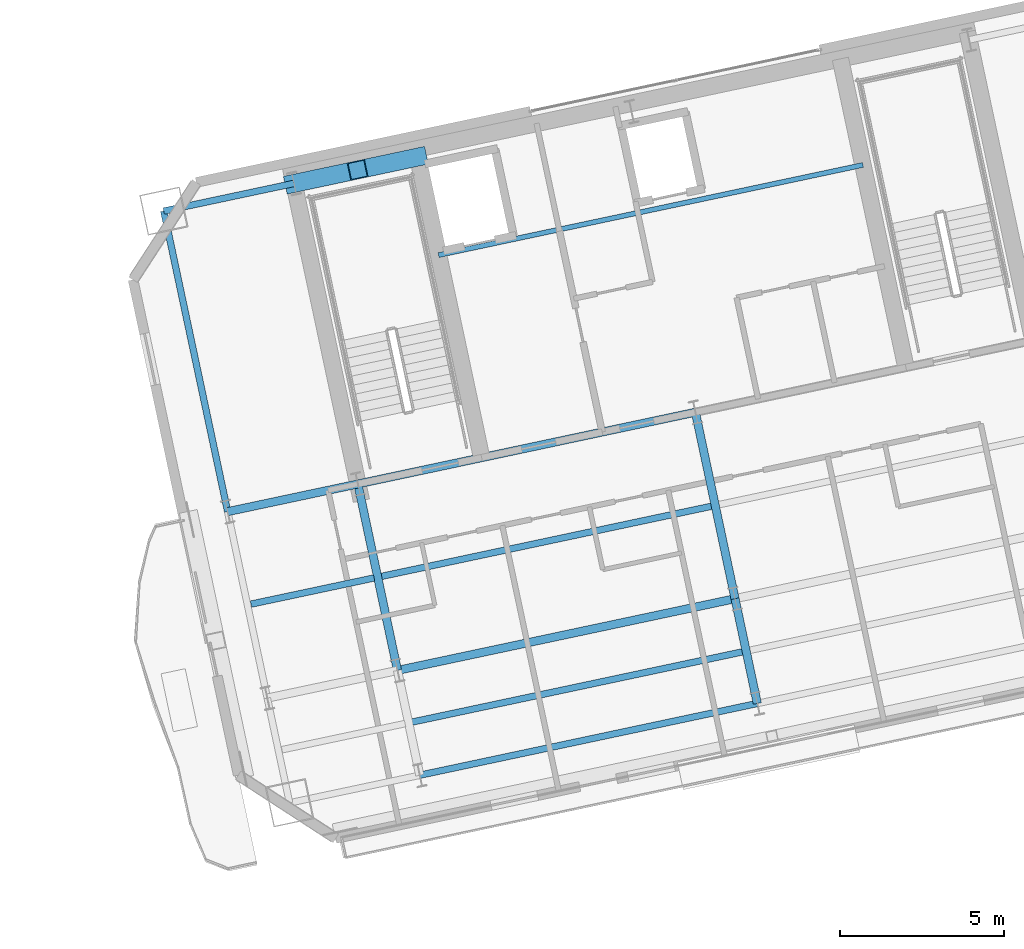
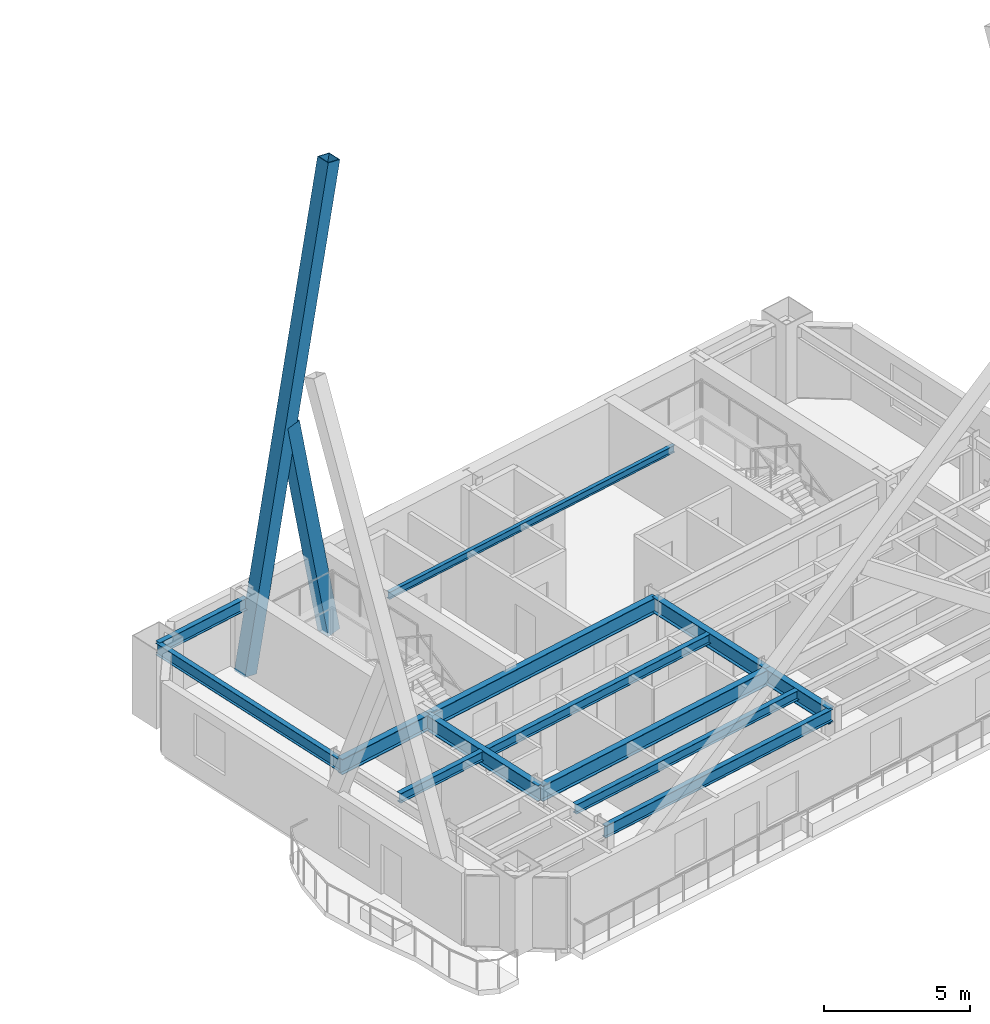
# One storey, part 4 of 19: 13 beams, 2 members.
"""IFC4 building model written with IfcOpenShell, lengths in metres."""

from ifc_helpers import new_model, si_unit, direction, frame, origin, origin_2d, place, context, subcontext, project, spatial, hollow_rectangle, i_section, extrude, material, material_profile, profile_set, type_object, element, save


model = new_model("IFC4")

# Units and contexts
model_context = context("Model", 3, precision=1e-05, world=origin(), true_north=direction((0.0, 1.0)))
body_context = subcontext(model_context, "Body", "Model", "MODEL_VIEW")
ifc_project = project(units=[si_unit("LENGTHUNIT", "METRE"), si_unit("AREAUNIT", "SQUARE_METRE"), si_unit("VOLUMEUNIT", "CUBIC_METRE"), si_unit("PLANEANGLEUNIT", "RADIAN"), si_unit("MASSUNIT", "GRAM", prefix="KILO")], contexts=[model_context])

# Site, building, storey
site_placement = place(None, origin())
site = spatial("IfcSite", under=ifc_project, at=site_placement, CompositionType="ELEMENT")
building_placement = place(site_placement, origin())
building = spatial("IfcBuilding", under=site, at=building_placement, Name="Haevon Station Towers", CompositionType="ELEMENT")
storey_placement = place(building_placement, frame((0.0, 0.0, 156.0)))
storey = spatial("IfcBuildingStorey", under=building, at=storey_placement, Name="L42", CompositionType="ELEMENT", Elevation=156.0)

# Beams
ifc_material_1 = material(Name="Steel S355", Category="steel")
ifc_material_profile_1 = material_profile(ifc_material_1, i_section(OverallWidth=0.25, OverallDepth=0.64990234375, WebThickness=0.012939453125, FlangeThickness=0.02197265625, at=origin_2d()), Name="H-650x250x13x22")
ifc_profile_set_1 = profile_set([ifc_material_profile_1], Name="Steel S355")
beam_type_1 = type_object("IfcBeamType", Name="BM-G650", PredefinedType="BEAM", material=ifc_profile_set_1)
beam_1_placement = place(storey_placement, frame((99.958251953125, 31.76904296875, 2.72509765625), z_axis=(0.978146794194, 0.207915485254, 0.0), x_axis=(-0.207915485254, 0.978146794194, 0.0)))
element("IfcBeam", 1, at=beam_1_placement, inside=storey, type_object=beam_type_1, Name="BM-T2U-L42-02-02", PredefinedType="BEAM", context=body_context, shape_type="SweptSolid", body=[
    extrude(i_section(OverallWidth=0.25, OverallDepth=0.64990234375, WebThickness=0.012939453125, FlangeThickness=0.02197265625, at=origin_2d()), origin(), (0.0, 0.0, 1.0), 10.5),
])
beam_2_placement = place(storey_placement, frame((94.790771484375, 36.600341796875, 2.72509765625), z_axis=(0.978149504816, 0.207902732613, 0.0), x_axis=(-0.207902732613, 0.978149504816, 0.0)))
element("IfcBeam", 2, at=beam_2_placement, inside=storey, type_object=beam_type_1, Name="BM-T2U-L42-03-01", PredefinedType="BEAM", context=body_context, shape_type="SweptSolid", body=[
    extrude(i_section(OverallWidth=0.25, OverallDepth=0.64990234375, WebThickness=0.012939453125, FlangeThickness=0.02197265625, at=origin_2d()), origin(), (0.0, 0.0, 1.0), 4.050048828125),
])
beam_3_placement = place(storey_placement, frame((98.75244140625, 37.4423828125, 2.72509765625), z_axis=(0.978146794194, 0.207915485254, 0.0), x_axis=(-0.207915485254, 0.978146794194, 0.0)))
element("IfcBeam", 3, at=beam_3_placement, inside=storey, type_object=beam_type_1, Name="BM-T2U-L42-03-02", PredefinedType="BEAM", context=body_context, shape_type="SweptSolid", body=[
    extrude(i_section(OverallWidth=0.25, OverallDepth=0.64990234375, WebThickness=0.012939453125, FlangeThickness=0.02197265625, at=origin_2d()), origin(), (0.0, 0.0, 1.0), 10.5),
])
beam_4_placement = place(storey_placement, frame((99.958251953125, 31.76904296875, 2.72509765625), z_axis=(-0.207896009217, 0.97815093383, 0.0), x_axis=(-0.97815093383, -0.207896009217, 0.0)))
element("IfcBeam", 4, at=beam_4_placement, inside=storey, type_object=beam_type_1, Name="BM-T2V-L42-02-02", PredefinedType="BEAM", context=body_context, shape_type="SweptSolid", body=[
    extrude(i_section(OverallWidth=0.25, OverallDepth=0.64990234375, WebThickness=0.012939453125, FlangeThickness=0.02197265625, at=origin_2d()), origin(), (0.0, 0.0, 1.0), 5.800048828125),
])
beam_5_placement = place(storey_placement, frame((110.906494140625, 30.763427734375, 2.72509765625), z_axis=(-0.207897270364, 0.978150665785, 0.0), x_axis=(-0.978150665785, -0.207897270364, 0.0)))
element("IfcBeam", 5, at=beam_5_placement, inside=storey, type_object=beam_type_1, Name="BM-T2V-L42-03-01", PredefinedType="BEAM", context=body_context, shape_type="SweptSolid", body=[
    extrude(i_section(OverallWidth=0.25, OverallDepth=0.64990234375, WebThickness=0.012939453125, FlangeThickness=0.02197265625, at=origin_2d()), origin(), (0.0, 0.0, 1.0), 3.260009765625),
])
beam_6_placement = place(storey_placement, frame((110.228759765625, 33.9521484375, 2.72509765625), z_axis=(-0.207896009217, 0.97815093383, 0.0), x_axis=(-0.97815093383, -0.207896009217, 0.0)))
element("IfcBeam", 6, at=beam_6_placement, inside=storey, type_object=beam_type_1, Name="BM-T2V-L42-03-02", PredefinedType="BEAM", context=body_context, shape_type="SweptSolid", body=[
    extrude(i_section(OverallWidth=0.25, OverallDepth=0.64990234375, WebThickness=0.012939453125, FlangeThickness=0.02197265625, at=origin_2d()), origin(), (0.0, 0.0, 1.0), 5.800048828125),
])
ifc_material_profile_2 = material_profile(ifc_material_1, i_section(OverallWidth=0.199951171875, OverallDepth=0.39990234375, WebThickness=0.008056640625, FlangeThickness=0.012939453125, at=origin_2d()), Name="H-400x200x8x13")
ifc_profile_set_2 = profile_set([ifc_material_profile_2], Name="Steel S355")
beam_type_2 = type_object("IfcBeamType", Name="BM-J400", PredefinedType="JOIST", material=ifc_profile_set_2)
beam_7_placement = place(storey_placement, frame((100.40478515625, 30.19775390625, 2.85009765625), z_axis=(0.978150339653, 0.207898804801, 0.0), x_axis=(-0.207898804801, 0.978150339653, 0.0)))
element("IfcBeam", 7, at=beam_7_placement, inside=storey, type_object=beam_type_2, Name="BM-T2J-L42-01-02", PredefinedType="JOIST", context=body_context, shape_type="SweptSolid", body=[
    extrude(i_section(OverallWidth=0.199951171875, OverallDepth=0.39990234375, WebThickness=0.008056640625, FlangeThickness=0.012939453125, at=origin_2d()), origin(), (0.0, 0.0, 1.0), 10.280029296875),
])
beam_8_placement = place(storey_placement, frame((95.50146484375, 33.78662109375, 2.85009765625), z_axis=(0.97814345794, 0.207931180176, 0.0), x_axis=(-0.207931180176, 0.97814345794, 0.0)))
element("IfcBeam", 8, at=beam_8_placement, inside=storey, type_object=beam_type_2, Name="BM-T2J-L42-02-01", PredefinedType="JOIST", context=body_context, shape_type="SweptSolid", body=[
    extrude(i_section(OverallWidth=0.199951171875, OverallDepth=0.39990234375, WebThickness=0.008056640625, FlangeThickness=0.012939453125, at=origin_2d()), origin(), (0.0, 0.0, 1.0), 3.830078125),
])
beam_9_placement = place(storey_placement, frame((99.462890625, 34.628662109375, 2.85009765625), z_axis=(0.978150339653, 0.207898804801, 0.0), x_axis=(-0.207898804801, 0.978150339653, 0.0)))
element("IfcBeam", 9, at=beam_9_placement, inside=storey, type_object=beam_type_2, Name="BM-T2J-L42-02-02", PredefinedType="JOIST", context=body_context, shape_type="SweptSolid", body=[
    extrude(i_section(OverallWidth=0.199951171875, OverallDepth=0.39990234375, WebThickness=0.008056640625, FlangeThickness=0.012939453125, at=origin_2d()), origin(), (0.0, 0.0, 1.0), 10.280029296875),
])
ifc_material_profile_3 = material_profile(ifc_material_1, i_section(OverallWidth=0.14990234375, OverallDepth=0.300048828125, WebThickness=0.006591796875, FlangeThickness=0.009033203125, at=origin_2d()), Name="H-300x150x6.5x9")
ifc_profile_set_3 = profile_set([ifc_material_profile_3], Name="Steel S355")
beam_type_3 = type_object("IfcBeamType", Name="BM-LIN300", PredefinedType="LINTEL", material=ifc_profile_set_3)
beam_10_placement = place(storey_placement, frame((101.20849609375, 44.4052734375, 2.89990234375), z_axis=(0.978147802964, 0.207910739399, 0.0), x_axis=(-0.207910739399, 0.978147802964, 0.0)))
element("IfcBeam", 10, at=beam_10_placement, inside=storey, type_object=beam_type_3, Name="BM-T2LIN-L42", PredefinedType="LINTEL", context=body_context, shape_type="SweptSolid", body=[
    extrude(i_section(OverallWidth=0.14990234375, OverallDepth=0.300048828125, WebThickness=0.006591796875, FlangeThickness=0.009033203125, at=origin_2d()), origin(), (0.0, 0.0, 1.0), 13.19970703125),
])
ifc_material_profile_4 = material_profile(ifc_material_1, i_section(OverallWidth=0.199951171875, OverallDepth=0.5, WebThickness=0.010009765625, FlangeThickness=0.01611328125, at=origin_2d()), Name="H-500x200x10x16")
ifc_profile_set_4 = profile_set([ifc_material_profile_4], Name="Steel S355")
beam_type_4 = type_object("IfcBeamType", Name="BM-SP500", PredefinedType="SPANDREL", material=ifc_profile_set_4)
beam_11_placement = place(storey_placement, frame((100.635986328125, 28.580322265625, 2.800048828125), z_axis=(0.978146794194, 0.207915485254, 0.0), x_axis=(-0.207915485254, 0.978146794194, 0.0)))
element("IfcBeam", 11, at=beam_11_placement, inside=storey, type_object=beam_type_4, Name="BM-T2U-L42-01-02", PredefinedType="SPANDREL", context=body_context, shape_type="SweptSolid", body=[
    extrude(i_section(OverallWidth=0.199951171875, OverallDepth=0.5, WebThickness=0.010009765625, FlangeThickness=0.01611328125, at=origin_2d()), origin(), (0.0, 0.0, 1.0), 10.5),
])
beam_12_placement = place(storey_placement, frame((92.846923828125, 45.74609375, 2.800048828125), z_axis=(0.978146899108, 0.207914991681, 0.0), x_axis=(-0.207914991681, 0.978146899108, 0.0)))
element("IfcBeam", 12, at=beam_12_placement, inside=storey, type_object=beam_type_4, Name="BM-T2U-L42-04-01", PredefinedType="SPANDREL", context=body_context, shape_type="SweptSolid", body=[
    extrude(i_section(OverallWidth=0.199951171875, OverallDepth=0.5, WebThickness=0.010009765625, FlangeThickness=0.01611328125, at=origin_2d()), origin(), (0.0, 0.0, 1.0), 4.050048828125),
])
beam_13_placement = place(storey_placement, frame((94.790771484375, 36.600341796875, 2.800048828125), z_axis=(-0.207897167074, 0.978150687738, 0.0), x_axis=(-0.978150687738, -0.207897167074, 0.0)))
element("IfcBeam", 13, at=beam_13_placement, inside=storey, type_object=beam_type_4, Name="BM-T2V-L42-01-03", PredefinedType="SPANDREL", context=body_context, shape_type="SweptSolid", body=[
    extrude(i_section(OverallWidth=0.199951171875, OverallDepth=0.5, WebThickness=0.010009765625, FlangeThickness=0.01611328125, at=origin_2d()), origin(), (0.0, 0.0, 1.0), 9.35009765625),
])

# Members
ifc_material_2 = material(Name="Steel S460", Category="steel")
ifc_material_profile_5 = material_profile(ifc_material_2, hollow_rectangle(XDim=0.550048828125, YDim=0.550048828125, WallThickness=0.028076171875, at=origin_2d()), Name="RHS-550x550x28")
ifc_profile_set_5 = profile_set([ifc_material_profile_5], Name="Steel S460")
member_type = type_object("IfcMemberType", Name="MB-550", PredefinedType="BRACE", material=ifc_profile_set_5)
member_1_placement = place(storey_placement, frame((96.808349609375, 46.588134765625, -0.1201171875), z_axis=(0.186971496987, 0.039745837188, 0.981560964862), x_axis=(-0.207930804564, 0.978143537786, 0.0)))
element("IfcMember", 14, at=member_1_placement, inside=storey, type_object=member_type, Name="BR-T2MB-T06-N-D1", PredefinedType="BRACE", context=body_context, shape_type="SweptSolid", body=[
    extrude(hollow_rectangle(XDim=0.550048828125, YDim=0.550048828125, WallThickness=0.028076171875, at=origin_2d()), origin(), (0.0, 0.0, 1.0), 20.141357421875),
])
member_2_placement = place(storey_placement, frame((100.57421875, 47.388671875, -0.1201171875), z_axis=(-0.186974541184, -0.039750493008, 0.98156019645), x_axis=(0.207950868925, -0.97813927235, 0.0)))
element("IfcMember", 15, at=member_2_placement, inside=storey, type_object=member_type, Name="BR-T2MB-T06-N-D2A", PredefinedType="BRACE", context=body_context, shape_type="SweptSolid", body=[
    extrude(hollow_rectangle(XDim=0.550048828125, YDim=0.550048828125, WallThickness=0.028076171875, at=origin_2d()), origin(), (0.0, 0.0, 1.0), 9.783935546875),
])

save(model, "model.ifc")
